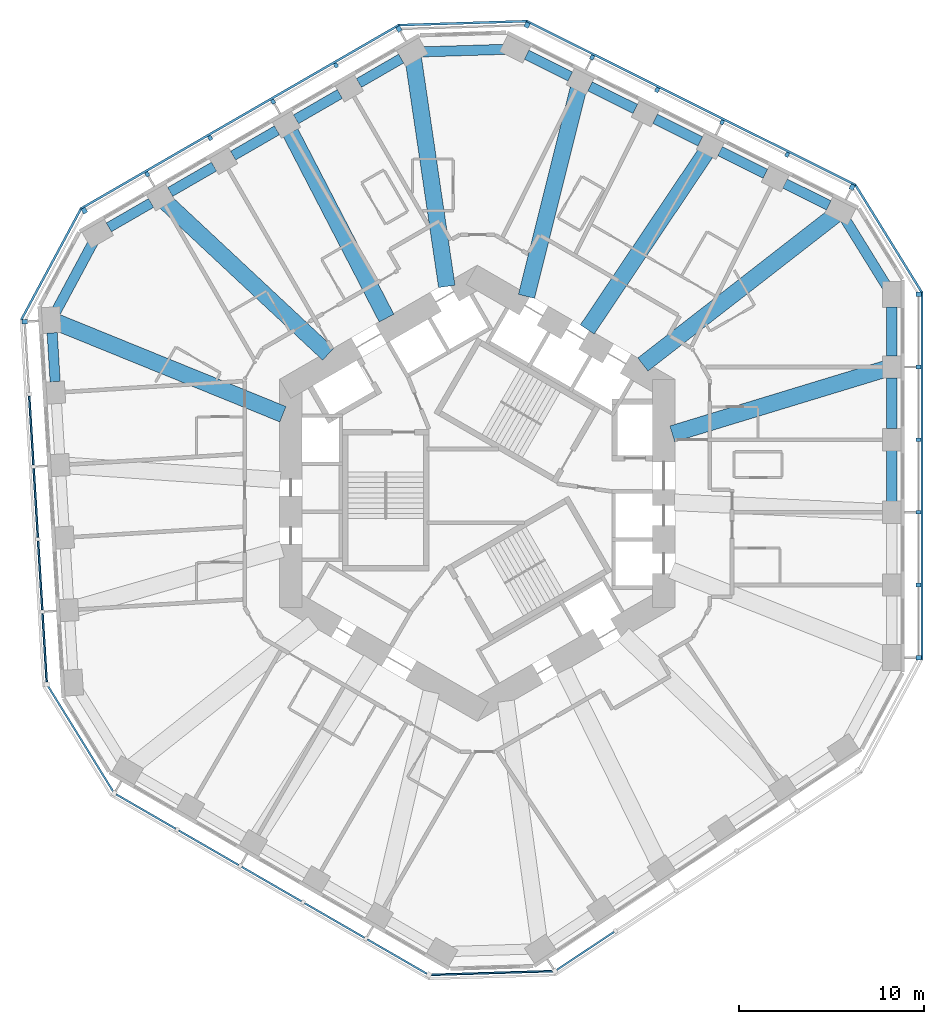
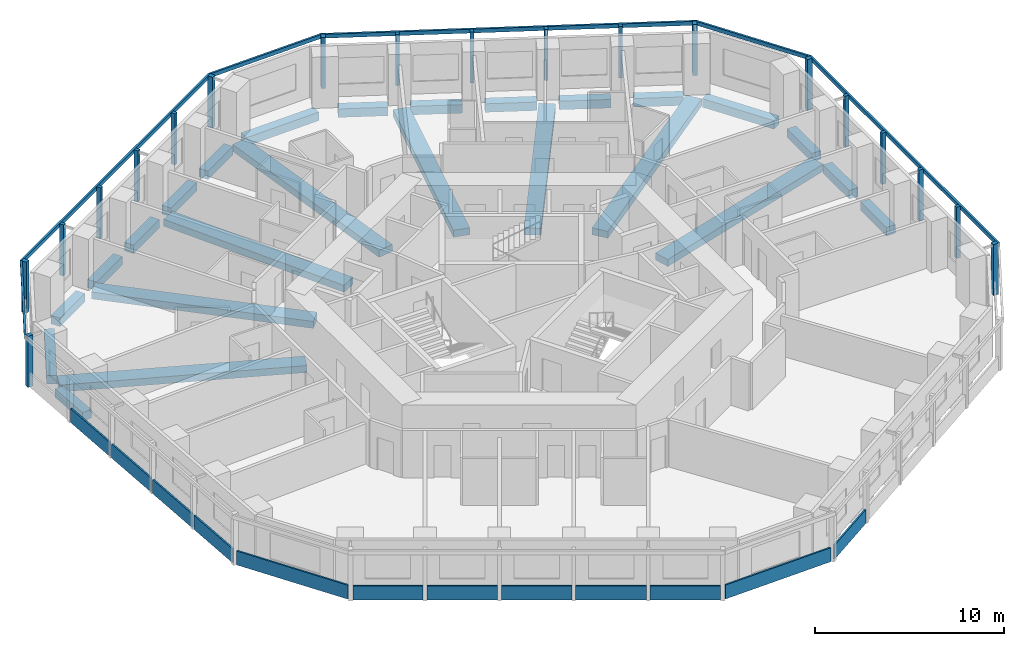
# One storey, part 2 of 12: 25 beams, 25 members, 12 plates, 11 elements without a shape of their own.
"""IFC4 building model written with IfcOpenShell, lengths in metres."""

from ifc_helpers import new_model, si_unit, direction, frame, origin, origin_2d, place, context, subcontext, project, spatial, rectangle, extrude, material, layer, layer_set, material_profile, profile_set, type_object, element, aggregate, save


model = new_model("IFC4")

# Units and contexts
model_context = context("Model", 3, precision=1e-05, world=origin(), true_north=direction((0.0, 1.0)))
body_context = subcontext(model_context, "Body", "Model", "MODEL_VIEW")
ifc_project = project(units=[si_unit("LENGTHUNIT", "METRE"), si_unit("AREAUNIT", "SQUARE_METRE"), si_unit("VOLUMEUNIT", "CUBIC_METRE"), si_unit("PLANEANGLEUNIT", "RADIAN"), si_unit("MASSUNIT", "GRAM", prefix="KILO")], contexts=[model_context])

# Site, building, storey
site_placement = place(None, origin())
site = spatial("IfcSite", under=ifc_project, at=site_placement, CompositionType="ELEMENT")
building_placement = place(site_placement, origin())
building = spatial("IfcBuilding", under=site, at=building_placement, Name="Vanh Sen Convention Tower", CompositionType="ELEMENT")
storey_placement = place(building_placement, frame((0.0, 0.0, 90.199951171875)))
storey = spatial("IfcBuildingStorey", under=building, at=storey_placement, Name="L20", CompositionType="ELEMENT", Elevation=90.199951171875)

# Curtain wall, members
ifc_material_1 = material(Name="Concrete C50/60", Category="concrete")
curtain_wall_type = type_object("IfcCurtainWallType", Name="Outer skin hotel zone", PredefinedType="NOTDEFINED", material=ifc_material_1)
curtain_wall_1_placement = place(storey_placement, origin())
curtain_wall_1 = element("IfcCurtainWall", 1, at=curtain_wall_1_placement, inside=storey, type_object=curtain_wall_type, Name="OUTER SKIN E L20", PredefinedType="NOTDEFINED")
ifc_material_profile_1 = material_profile(ifc_material_1, rectangle(XDim=0.25, YDim=0.300048828125, at=origin_2d()), Name="Outer skin precast corner fin 250 x 300")
ifc_profile_set_1 = profile_set([ifc_material_profile_1], Name="Concrete C50/60")
member_type_1 = type_object("IfcMemberType", Name="Outer skin precast corner fin 250 x 300", PredefinedType="MULLION", material=ifc_profile_set_1)
member_1_placement = place(storey_placement, frame((23.89990234375, -8.899169921875, 0.0), z_axis=(0.0, 0.0, 1.0), x_axis=(0.0, 1.0, 0.0)))
member_1 = element("IfcMember", 2, at=member_1_placement, type_object=member_type_1, Name="OUTER SKIN CORNER FIN 1 E L20", PredefinedType="MULLION", context=body_context, shape_type="SweptSolid", body=[
    extrude(rectangle(XDim=0.25, YDim=0.300048828125, at=origin_2d()), origin(), (0.0, 0.0, 1.0), 3.300048828125),
])
member_2_placement = place(storey_placement, frame((23.89990234375, 10.773681640625, 0.0), z_axis=(0.0, 0.0, 1.0), x_axis=(0.0, 1.0, 0.0)))
member_2 = element("IfcMember", 3, at=member_2_placement, type_object=member_type_1, Name="OUTER SKIN CORNER FIN 6 E L20", PredefinedType="MULLION", context=body_context, shape_type="SweptSolid", body=[
    extrude(rectangle(XDim=0.25, YDim=0.300048828125, at=origin_2d()), origin(), (0.0, 0.0, 1.0), 3.300048828125),
])

curtain_wall_2_placement = place(storey_placement, origin())
curtain_wall_2 = element("IfcCurtainWall", 4, at=curtain_wall_2_placement, inside=storey, type_object=curtain_wall_type, Name="OUTER SKIN NE L20", PredefinedType="NOTDEFINED")
member_3_placement = place(storey_placement, frame((20.305908203125, 16.581787109375, 0.0), z_axis=(0.0, 0.0, 1.0), x_axis=(-0.894934361602, 0.44619781311, 0.0)))
member_3 = element("IfcMember", 5, at=member_3_placement, type_object=member_type_1, Name="OUTER SKIN CORNER FIN 1 NE L20", PredefinedType="MULLION", context=body_context, shape_type="SweptSolid", body=[
    extrude(rectangle(XDim=0.25, YDim=0.300048828125, at=origin_2d()), origin(), (0.0, 0.0, 1.0), 3.300048828125),
])
member_4_placement = place(storey_placement, frame((2.699951171875, 25.35986328125, 0.0), z_axis=(0.0, 0.0, 1.0), x_axis=(-0.894934361602, 0.44619781311, 0.0)))
member_4 = element("IfcMember", 6, at=member_4_placement, type_object=member_type_1, Name="OUTER SKIN CORNER FIN 6 NE L20", PredefinedType="MULLION", context=body_context, shape_type="SweptSolid", body=[
    extrude(rectangle(XDim=0.25, YDim=0.300048828125, at=origin_2d()), origin(), (0.0, 0.0, 1.0), 3.300048828125),
])

curtain_wall_3_placement = place(storey_placement, origin())
curtain_wall_3 = element("IfcCurtainWall", 7, at=curtain_wall_3_placement, inside=storey, type_object=curtain_wall_type, Name="OUTER SKIN NW L20", PredefinedType="NOTDEFINED")
member_5_placement = place(storey_placement, frame((-4.242919921875, 25.147705078125, 0.0), z_axis=(0.0, 0.0, 1.0), x_axis=(-0.866025403784, -0.5, 0.0)))
member_5 = element("IfcMember", 8, at=member_5_placement, type_object=member_type_1, Name="OUTER SKIN CORNER FIN 1 NW L20", PredefinedType="MULLION", context=body_context, shape_type="SweptSolid", body=[
    extrude(rectangle(XDim=0.25, YDim=0.300048828125, at=origin_2d()), origin(), (0.0, 0.0, 1.0), 3.300048828125),
])
member_6_placement = place(storey_placement, frame((-21.2802734375, 15.31103515625, 0.0), z_axis=(0.0, 0.0, 1.0), x_axis=(-0.866025403784, -0.5, 0.0)))
member_6 = element("IfcMember", 9, at=member_6_placement, type_object=member_type_1, Name="OUTER SKIN CORNER FIN 6 NW L20", PredefinedType="MULLION", context=body_context, shape_type="SweptSolid", body=[
    extrude(rectangle(XDim=0.25, YDim=0.300048828125, at=origin_2d()), origin(), (0.0, 0.0, 1.0), 3.300048828125),
])

# Curtain wall, member
curtain_wall_4_placement = place(storey_placement, origin())
curtain_wall_4 = element("IfcCurtainWall", 10, at=curtain_wall_4_placement, inside=storey, type_object=curtain_wall_type, Name="OUTER SKIN W L20", PredefinedType="NOTDEFINED")
member_7_placement = place(storey_placement, frame((-24.51318359375, 9.294677734375, 0.0), z_axis=(0.0, 0.0, 1.0), x_axis=(0.061048539535, -0.998134798422, 0.0)))
member_7 = element("IfcMember", 11, at=member_7_placement, type_object=member_type_1, Name="OUTER SKIN CORNER FIN 1 W L20", PredefinedType="MULLION", context=body_context, shape_type="SweptSolid", body=[
    extrude(rectangle(XDim=0.25, YDim=0.300048828125, at=origin_2d()), origin(), (0.0, 0.0, 1.0), 3.300048828125),
])

# Member
ifc_material_profile_2 = material_profile(ifc_material_1, rectangle(XDim=0.199951171875, YDim=0.25, at=origin_2d()), Name="Outer skin precast fin 200 x 250")
ifc_profile_set_2 = profile_set([ifc_material_profile_2], Name="Concrete C50/60")
member_type_2 = type_object("IfcMemberType", Name="Outer skin precast fin 200 x 250", PredefinedType="MULLION", material=ifc_profile_set_2)
member_8_placement = place(storey_placement, frame((23.89990234375, -4.964599609375, 0.0), z_axis=(0.0, 0.0, 1.0), x_axis=(0.0, 1.0, 0.0)))
member_8 = element("IfcMember", 12, at=member_8_placement, type_object=member_type_2, Name="OUTER SKIN fin 2 E L20", PredefinedType="MULLION", context=body_context, shape_type="SweptSolid", body=[
    extrude(rectangle(XDim=0.199951171875, YDim=0.25, at=origin_2d()), origin(), (0.0, 0.0, 1.0), 3.300048828125),
])

member_9_placement = place(storey_placement, frame((23.89990234375, -1.030029296875, 0.0), z_axis=(0.0, 0.0, 1.0), x_axis=(0.0, 1.0, 0.0)))
member_9 = element("IfcMember", 13, at=member_9_placement, type_object=member_type_2, Name="OUTER SKIN fin 3 E L20", PredefinedType="MULLION", context=body_context, shape_type="SweptSolid", body=[
    extrude(rectangle(XDim=0.199951171875, YDim=0.25, at=origin_2d()), origin(), (0.0, 0.0, 1.0), 3.300048828125),
])

member_10_placement = place(storey_placement, frame((23.89990234375, 2.904541015625, 0.0), z_axis=(0.0, 0.0, 1.0), x_axis=(0.0, 1.0, 0.0)))
member_10 = element("IfcMember", 14, at=member_10_placement, type_object=member_type_2, Name="OUTER SKIN fin 4 E L20", PredefinedType="MULLION", context=body_context, shape_type="SweptSolid", body=[
    extrude(rectangle(XDim=0.199951171875, YDim=0.25, at=origin_2d()), origin(), (0.0, 0.0, 1.0), 3.300048828125),
])

member_11_placement = place(storey_placement, frame((23.89990234375, 6.839111328125, 0.0), z_axis=(0.0, 0.0, 1.0), x_axis=(0.0, 1.0, 0.0)))
member_11 = element("IfcMember", 15, at=member_11_placement, type_object=member_type_2, Name="OUTER SKIN fin 5 E L20", PredefinedType="MULLION", context=body_context, shape_type="SweptSolid", body=[
    extrude(rectangle(XDim=0.199951171875, YDim=0.25, at=origin_2d()), origin(), (0.0, 0.0, 1.0), 3.300048828125),
])

member_12_placement = place(storey_placement, frame((16.78466796875, 18.33740234375, 0.0), z_axis=(0.0, 0.0, 1.0), x_axis=(-0.894934361602, 0.44619781311, 0.0)))
member_12 = element("IfcMember", 16, at=member_12_placement, type_object=member_type_2, Name="OUTER SKIN fin 2 NE L20", PredefinedType="MULLION", context=body_context, shape_type="SweptSolid", body=[
    extrude(rectangle(XDim=0.199951171875, YDim=0.25, at=origin_2d()), origin(), (0.0, 0.0, 1.0), 3.300048828125),
])

member_13_placement = place(storey_placement, frame((13.263427734375, 20.093017578125, 0.0), z_axis=(0.0, 0.0, 1.0), x_axis=(-0.894934361602, 0.44619781311, 0.0)))
member_13 = element("IfcMember", 17, at=member_13_placement, type_object=member_type_2, Name="OUTER SKIN fin 3 NE L20", PredefinedType="MULLION", context=body_context, shape_type="SweptSolid", body=[
    extrude(rectangle(XDim=0.199951171875, YDim=0.25, at=origin_2d()), origin(), (0.0, 0.0, 1.0), 3.300048828125),
])

member_14_placement = place(storey_placement, frame((9.7421875, 21.8486328125, 0.0), z_axis=(0.0, 0.0, 1.0), x_axis=(-0.894934361602, 0.44619781311, 0.0)))
member_14 = element("IfcMember", 18, at=member_14_placement, type_object=member_type_2, Name="OUTER SKIN fin 4 NE L20", PredefinedType="MULLION", context=body_context, shape_type="SweptSolid", body=[
    extrude(rectangle(XDim=0.199951171875, YDim=0.25, at=origin_2d()), origin(), (0.0, 0.0, 1.0), 3.300048828125),
])

member_15_placement = place(storey_placement, frame((6.22119140625, 23.604248046875, 0.0), z_axis=(0.0, 0.0, 1.0), x_axis=(-0.894934361602, 0.44619781311, 0.0)))
member_15 = element("IfcMember", 19, at=member_15_placement, type_object=member_type_2, Name="OUTER SKIN fin 5 NE L20", PredefinedType="MULLION", context=body_context, shape_type="SweptSolid", body=[
    extrude(rectangle(XDim=0.199951171875, YDim=0.25, at=origin_2d()), origin(), (0.0, 0.0, 1.0), 3.300048828125),
])

member_16_placement = place(storey_placement, frame((-7.650390625, 23.180419921875, 0.0), z_axis=(0.0, 0.0, 1.0), x_axis=(-0.866025403784, -0.5, 0.0)))
member_16 = element("IfcMember", 20, at=member_16_placement, type_object=member_type_2, Name="OUTER SKIN fin 2 NW L20", PredefinedType="MULLION", context=body_context, shape_type="SweptSolid", body=[
    extrude(rectangle(XDim=0.199951171875, YDim=0.25, at=origin_2d()), origin(), (0.0, 0.0, 1.0), 3.300048828125),
])

member_17_placement = place(storey_placement, frame((-11.057861328125, 21.212890625, 0.0), z_axis=(0.0, 0.0, 1.0), x_axis=(-0.866025403784, -0.5, 0.0)))
member_17 = element("IfcMember", 21, at=member_17_placement, type_object=member_type_2, Name="OUTER SKIN fin 3 NW L20", PredefinedType="MULLION", context=body_context, shape_type="SweptSolid", body=[
    extrude(rectangle(XDim=0.199951171875, YDim=0.25, at=origin_2d()), origin(), (0.0, 0.0, 1.0), 3.300048828125),
])

member_18_placement = place(storey_placement, frame((-14.46533203125, 19.24560546875, 0.0), z_axis=(0.0, 0.0, 1.0), x_axis=(-0.866025403784, -0.5, 0.0)))
member_18 = element("IfcMember", 22, at=member_18_placement, type_object=member_type_2, Name="OUTER SKIN fin 4 NW L20", PredefinedType="MULLION", context=body_context, shape_type="SweptSolid", body=[
    extrude(rectangle(XDim=0.199951171875, YDim=0.25, at=origin_2d()), origin(), (0.0, 0.0, 1.0), 3.300048828125),
])

member_19_placement = place(storey_placement, frame((-17.872802734375, 17.2783203125, 0.0), z_axis=(0.0, 0.0, 1.0), x_axis=(-0.866025403784, -0.5, 0.0)))
member_19 = element("IfcMember", 23, at=member_19_placement, type_object=member_type_2, Name="OUTER SKIN fin 5 NW L20", PredefinedType="MULLION", context=body_context, shape_type="SweptSolid", body=[
    extrude(rectangle(XDim=0.199951171875, YDim=0.25, at=origin_2d()), origin(), (0.0, 0.0, 1.0), 3.300048828125),
])

ifc_material_profile_3 = material_profile(ifc_material_1, rectangle(XDim=0.1201171875, YDim=0.25, at=origin_2d()), Name="Outer skin precast spandrel band 250 x 120")
ifc_profile_set_3 = profile_set([ifc_material_profile_3], Name="Concrete C50/60")
member_type_3 = type_object("IfcMemberType", Name="Outer skin precast spandrel band 250 x 120", PredefinedType="USERDEFINED", material=ifc_profile_set_3)
member_20_placement = place(storey_placement, frame((24.0849609375, -9.024169921875, 3.175048828125), z_axis=(0.0, 1.0, 0.0), x_axis=(-1.0, 0.0, 0.0)))
member_20 = element("IfcMember", 24, at=member_20_placement, type_object=member_type_3, Name="OUTER SKIN spandrel band E L20", ObjectType="TRANSOM", PredefinedType="USERDEFINED", context=body_context, shape_type="SweptSolid", body=[
    extrude(rectangle(XDim=0.1201171875, YDim=0.25, at=origin_2d()), origin(), (0.0, 0.0, 1.0), 19.9228515625),
])

aggregate(curtain_wall_1, [member_1, member_8, member_9, member_10, member_11, member_2, member_20])

# Curtain wall, member
curtain_wall_5_placement = place(storey_placement, origin())
curtain_wall_5 = element("IfcCurtainWall", 25, at=curtain_wall_5_placement, inside=storey, type_object=curtain_wall_type, Name="OUTER SKIN CH1 L20", PredefinedType="NOTDEFINED")
member_21_placement = place(storey_placement, frame((24.07861328125, 10.88427734375, 3.175048828125), z_axis=(-0.526195864379, 0.850363400148, 0.0), x_axis=(-0.850363400148, -0.526195864379, 0.0)))
member_21 = element("IfcMember", 26, at=member_21_placement, type_object=member_type_3, Name="OUTER SKIN spandrel band CH1 L20", ObjectType="TRANSOM", PredefinedType="USERDEFINED", context=body_context, shape_type="SweptSolid", body=[
    extrude(rectangle(XDim=0.1201171875, YDim=0.25, at=origin_2d()), origin(), (0.0, 0.0, 1.0), 6.830078125),
])
aggregate(curtain_wall_5, [member_21])

# Member
member_22_placement = place(storey_placement, frame((20.500244140625, 16.69140625, 3.175048828125), z_axis=(-0.894931498167, 0.446203556227, 0.0), x_axis=(-0.446203556227, -0.894931498167, 0.0)))
member_22 = element("IfcMember", 27, at=member_22_placement, type_object=member_type_3, Name="OUTER SKIN spandrel band NE L20", ObjectType="TRANSOM", PredefinedType="USERDEFINED", context=body_context, shape_type="SweptSolid", body=[
    extrude(rectangle(XDim=0.1201171875, YDim=0.25, at=origin_2d()), origin(), (0.0, 0.0, 1.0), 19.9228515625),
])

aggregate(curtain_wall_2, [member_3, member_12, member_13, member_14, member_15, member_4, member_22])

# Curtain wall, member
curtain_wall_6_placement = place(storey_placement, origin())
curtain_wall_6 = element("IfcCurtainWall", 28, at=curtain_wall_6_placement, inside=storey, type_object=curtain_wall_type, Name="OUTER SKIN CH2 L20", PredefinedType="NOTDEFINED")
member_23_placement = place(storey_placement, frame((2.693603515625, 25.569580078125, 3.175048828125), z_axis=(-0.999533472857, -0.030542374483, 0.0), x_axis=(0.030542374483, -0.999533472857, 0.0)))
member_23 = element("IfcMember", 29, at=member_23_placement, type_object=member_type_3, Name="OUTER SKIN spandrel band CH2 L20", ObjectType="TRANSOM", PredefinedType="USERDEFINED", context=body_context, shape_type="SweptSolid", body=[
    extrude(rectangle(XDim=0.1201171875, YDim=0.25, at=origin_2d()), origin(), (0.0, 0.0, 1.0), 6.9462890625),
])
aggregate(curtain_wall_6, [member_23])

# Member
member_24_placement = place(storey_placement, frame((-4.227294921875, 25.370361328125, 3.175048828125), z_axis=(-0.866028047459, -0.499995420993, 0.0), x_axis=(0.499995420993, -0.866028047459, 0.0)))
member_24 = element("IfcMember", 30, at=member_24_placement, type_object=member_type_3, Name="OUTER SKIN spandrel band NW L20", ObjectType="TRANSOM", PredefinedType="USERDEFINED", context=body_context, shape_type="SweptSolid", body=[
    extrude(rectangle(XDim=0.1201171875, YDim=0.25, at=origin_2d()), origin(), (0.0, 0.0, 1.0), 19.923095703125),
])

aggregate(curtain_wall_3, [member_5, member_16, member_17, member_18, member_19, member_6, member_24])

# Curtain wall, member
curtain_wall_7_placement = place(storey_placement, origin())
curtain_wall_7 = element("IfcCurtainWall", 31, at=curtain_wall_7_placement, inside=storey, type_object=curtain_wall_type, Name="OUTER SKIN CH3 L20", PredefinedType="NOTDEFINED")
member_25_placement = place(storey_placement, frame((-21.46533203125, 15.410400390625, 3.175048828125), z_axis=(-0.473315186561, -0.880893145717, 0.0), x_axis=(0.880893145717, -0.473315186561, 0.0)))
member_25 = element("IfcMember", 32, at=member_25_placement, type_object=member_type_3, Name="OUTER SKIN spandrel band CH3 L20", ObjectType="TRANSOM", PredefinedType="USERDEFINED", context=body_context, shape_type="SweptSolid", body=[
    extrude(rectangle(XDim=0.1201171875, YDim=0.25, at=origin_2d()), origin(), (0.0, 0.0, 1.0), 6.829833984375),
])
aggregate(curtain_wall_7, [member_25])

# Beams
ifc_material_2 = material(Name="Concrete C50/60", Category="concrete")
ifc_material_profile_4 = material_profile(ifc_material_2, rectangle(XDim=0.89990234375, YDim=0.449951171875, at=origin_2d()), Name="RC 900X450")
ifc_profile_set_4 = profile_set([ifc_material_profile_4], Name="Concrete C50/60")
beam_type_1 = type_object("IfcBeamType", Name="Radial floor beam 900 x 450", PredefinedType="BEAM", material=ifc_profile_set_4)
beam_1_placement = place(storey_placement, frame((22.0859375, 6.728271484375, -0.474853515625), z_axis=(-0.956595291153, -0.291419712689, 0.0), x_axis=(0.291419712689, -0.956595291153, 0.0)))
element("IfcBeam", 33, at=beam_1_placement, inside=storey, type_object=beam_type_1, Name="Radial beam 03 L20", PredefinedType="BEAM", context=body_context, shape_type="SweptSolid", body=[
    extrude(rectangle(XDim=0.89990234375, YDim=0.449951171875, at=origin_2d()), origin(), (0.0, 0.0, 1.0), 12.04443359375),
])
beam_2_placement = place(storey_placement, frame((19.3955078125, 15.079345703125, -0.474853515625), z_axis=(-0.789464705625, -0.61379595842, 0.0), x_axis=(0.61379595842, -0.789464705625, 0.0)))
element("IfcBeam", 34, at=beam_2_placement, inside=storey, type_object=beam_type_1, Name="Radial beam 04 L20", PredefinedType="BEAM", context=body_context, shape_type="SweptSolid", body=[
    extrude(rectangle(XDim=0.89990234375, YDim=0.449951171875, at=origin_2d()), origin(), (0.0, 0.0, 1.0), 13.204345703125),
])
beam_3_placement = place(storey_placement, frame((12.37060546875, 18.42919921875, -0.474853515625), z_axis=(-0.557321786786, -0.830296589162, 0.0), x_axis=(0.830296589162, -0.557321786786, 0.0)))
element("IfcBeam", 35, at=beam_3_placement, inside=storey, type_object=beam_type_1, Name="Radial beam 05 L20", PredefinedType="BEAM", context=body_context, shape_type="SweptSolid", body=[
    extrude(rectangle(XDim=0.89990234375, YDim=0.449951171875, at=origin_2d()), origin(), (0.0, 0.0, 1.0), 11.507080078125),
])
beam_4_placement = place(storey_placement, frame((5.475341796875, 21.9111328125, -0.474853515625), z_axis=(-0.242431531098, -0.970168517697, 0.0), x_axis=(0.970168517697, -0.242431531098, 0.0)))
element("IfcBeam", 36, at=beam_4_placement, inside=storey, type_object=beam_type_1, Name="Radial beam 06 L20", PredefinedType="BEAM", context=body_context, shape_type="SweptSolid", body=[
    extrude(rectangle(XDim=0.89990234375, YDim=0.449951171875, at=origin_2d()), origin(), (0.0, 0.0, 1.0), 11.589111328125),
])
beam_5_placement = place(storey_placement, frame((-3.46630859375, 23.541259765625, -0.474853515625), z_axis=(0.145680012358, -0.989331761342, 0.0), x_axis=(0.989331761342, 0.145680012358, 0.0)))
element("IfcBeam", 37, at=beam_5_placement, inside=storey, type_object=beam_type_1, Name="Radial beam 07 L20", PredefinedType="BEAM", context=body_context, shape_type="SweptSolid", body=[
    extrude(rectangle(XDim=0.89990234375, YDim=0.449951171875, at=origin_2d()), origin(), (0.0, 0.0, 1.0), 12.468505859375),
])
beam_6_placement = place(storey_placement, frame((-10.114501953125, 19.53564453125, -0.474853515625), z_axis=(0.459772199707, -0.88803689359, 0.0), x_axis=(0.88803689359, 0.459772199707, 0.0)))
element("IfcBeam", 38, at=beam_6_placement, inside=storey, type_object=beam_type_1, Name="Radial beam 08 L20", PredefinedType="BEAM", context=body_context, shape_type="SweptSolid", body=[
    extrude(rectangle(XDim=0.89990234375, YDim=0.449951171875, at=origin_2d()), origin(), (0.0, 0.0, 1.0), 11.31298828125),
])
beam_7_placement = place(storey_placement, frame((-16.869873046875, 15.762939453125, -0.474853515625), z_axis=(0.730668926441, -0.68273195321, 0.0), x_axis=(0.68273195321, 0.730668926441, 0.0)))
element("IfcBeam", 39, at=beam_7_placement, inside=storey, type_object=beam_type_1, Name="Radial beam 09 L20", PredefinedType="BEAM", context=body_context, shape_type="SweptSolid", body=[
    extrude(rectangle(XDim=0.89990234375, YDim=0.449951171875, at=origin_2d()), origin(), (0.0, 0.0, 1.0), 12.044921875),
])
beam_8_placement = place(storey_placement, frame((-22.7568359375, 9.25732421875, -0.474853515625), z_axis=(0.926294416538, -0.376800549216, 0.0), x_axis=(0.376800549216, 0.926294416538, 0.0)))
element("IfcBeam", 40, at=beam_8_placement, inside=storey, type_object=beam_type_1, Name="Radial beam 10 L20", PredefinedType="BEAM", context=body_context, shape_type="SweptSolid", body=[
    extrude(rectangle(XDim=0.89990234375, YDim=0.449951171875, at=origin_2d()), origin(), (0.0, 0.0, 1.0), 13.2041015625),
])
ifc_material_profile_5 = material_profile(ifc_material_2, rectangle(XDim=0.550048828125, YDim=0.550048828125, at=origin_2d()), Name="RC 550X550")
ifc_profile_set_5 = profile_set([ifc_material_profile_5], Name="Concrete C50/60")
beam_type_2 = type_object("IfcBeamType", Name="Spandrel beam 550 x 550", PredefinedType="SPANDREL", material=ifc_profile_set_5)
for number, where, z_axis, x_axis, name in (
    (41, (22.449951171875, -0.43505859375, -0.52490234375), (0.0, 1.0, 0.0), (-1.0, 0.0, 0.0), "Spandrel beam 03 L20"),
    (42, (22.449951171875, 3.49951171875, -0.52490234375), (0.0, 1.0, 0.0), (-1.0, 0.0, 0.0), "Spandrel beam 04 L20"),
):
    element("IfcBeam", number, at=place(storey_placement, frame(where, z_axis=z_axis, x_axis=x_axis)), inside=storey, type_object=beam_type_2, Name=name, PredefinedType="SPANDREL", context=body_context, shape_type="SweptSolid", body=[
        extrude(rectangle(XDim=0.550048828125, YDim=0.550048828125, at=origin_2d()), origin(), (0.0, 0.0, 1.0), 2.74462890625),
    ])
beam_9_placement = place(storey_placement, frame((22.449951171875, 7.43408203125, -0.52490234375), z_axis=(0.0, 1.0, 0.0), x_axis=(-1.0, 0.0, 0.0)))
element("IfcBeam", 43, at=beam_9_placement, inside=storey, type_object=beam_type_2, Name="Spandrel beam 05 L20", PredefinedType="SPANDREL", context=body_context, shape_type="SweptSolid", body=[
    extrude(rectangle(XDim=0.550048828125, YDim=0.550048828125, at=origin_2d()), origin(), (0.0, 0.0, 1.0), 2.64453125),
])
beam_10_placement = place(storey_placement, frame((22.1865234375, 11.199462890625, -0.52490234375), z_axis=(-0.526204199605, 0.850358242342, 0.0), x_axis=(-0.850358242342, -0.526204199605, 0.0)))
element("IfcBeam", 44, at=beam_10_placement, inside=storey, type_object=beam_type_2, Name="Spandrel beam 06 L20", PredefinedType="SPANDREL", context=body_context, shape_type="SweptSolid", body=[
    extrude(rectangle(XDim=0.550048828125, YDim=0.550048828125, at=origin_2d()), origin(), (0.0, 0.0, 1.0), 4.302734375),
])
beam_11_placement = place(storey_placement, frame((19.036865234375, 15.59423828125, -0.52490234375), z_axis=(-0.894943581597, 0.446179320183, 0.0), x_axis=(-0.446179320183, -0.894943581597, 0.0)))
element("IfcBeam", 45, at=beam_11_placement, inside=storey, type_object=beam_type_2, Name="Spandrel beam 07 L20", PredefinedType="SPANDREL", context=body_context, shape_type="SweptSolid", body=[
    extrude(rectangle(XDim=0.550048828125, YDim=0.550048828125, at=origin_2d()), origin(), (0.0, 0.0, 1.0), 2.64453125),
])
for number, where, z_axis, x_axis, name in (
    (46, (15.605224609375, 17.30517578125, -0.52490234375), (-0.894942515368, 0.44618145881, 0.0), (-0.44618145881, -0.894942515368, 0.0), "Spandrel beam 08 L20"),
    (47, (12.083984375, 19.060791015625, -0.52490234375), (-0.894942515368, 0.44618145881, 0.0), (-0.44618145881, -0.894942515368, 0.0), "Spandrel beam 09 L20"),
):
    element("IfcBeam", number, at=place(storey_placement, frame(where, z_axis=z_axis, x_axis=x_axis)), inside=storey, type_object=beam_type_2, Name=name, PredefinedType="SPANDREL", context=body_context, shape_type="SweptSolid", body=[
        extrude(rectangle(XDim=0.550048828125, YDim=0.550048828125, at=origin_2d()), origin(), (0.0, 0.0, 1.0), 2.74462890625),
    ])
beam_12_placement = place(storey_placement, frame((8.562744140625, 20.81640625, -0.52490234375), z_axis=(-0.894924804947, 0.44621698028, 0.0), x_axis=(-0.44621698028, -0.894924804947, 0.0)))
element("IfcBeam", 48, at=beam_12_placement, inside=storey, type_object=beam_type_2, Name="Spandrel beam 10 L20", PredefinedType="SPANDREL", context=body_context, shape_type="SweptSolid", body=[
    extrude(rectangle(XDim=0.550048828125, YDim=0.550048828125, at=origin_2d()), origin(), (0.0, 0.0, 1.0), 2.744384765625),
])
beam_13_placement = place(storey_placement, frame((5.04150390625, 22.572021484375, -0.52490234375), z_axis=(-0.894943581597, 0.446179320183, 0.0), x_axis=(-0.446179320183, -0.894943581597, 0.0)))
element("IfcBeam", 49, at=beam_13_placement, inside=storey, type_object=beam_type_2, Name="Spandrel beam 11 L20", PredefinedType="SPANDREL", context=body_context, shape_type="SweptSolid", body=[
    extrude(rectangle(XDim=0.550048828125, YDim=0.550048828125, at=origin_2d()), origin(), (0.0, 0.0, 1.0), 2.64453125),
])
beam_14_placement = place(storey_placement, frame((1.513671875, 24.045654296875, -0.52490234375), z_axis=(-0.999533924707, -0.030527583592, 0.0), x_axis=(0.030527583592, -0.999533924707, 0.0)))
element("IfcBeam", 50, at=beam_14_placement, inside=storey, type_object=beam_type_2, Name="Spandrel beam 12 L20", PredefinedType="SPANDREL", context=body_context, shape_type="SweptSolid", body=[
    extrude(rectangle(XDim=0.550048828125, YDim=0.550048828125, at=origin_2d()), origin(), (0.0, 0.0, 1.0), 4.49462890625),
])
beam_15_placement = place(storey_placement, frame((-4.119873046875, 23.54443359375, -0.52490234375), z_axis=(-0.866030315638, -0.499991492324, 0.0), x_axis=(0.499991492324, -0.866030315638, 0.0)))
element("IfcBeam", 51, at=beam_15_placement, inside=storey, type_object=beam_type_2, Name="Spandrel beam 13 L20", PredefinedType="SPANDREL", context=body_context, shape_type="SweptSolid", body=[
    extrude(rectangle(XDim=0.550048828125, YDim=0.550048828125, at=origin_2d()), origin(), (0.0, 0.0, 1.0), 2.64453125),
])
beam_16_placement = place(storey_placement, frame((-7.44091796875, 21.627197265625, -0.52490234375), z_axis=(-0.866006330792, -0.500033033937, 0.0), x_axis=(0.500033033937, -0.866006330792, 0.0)))
element("IfcBeam", 52, at=beam_16_placement, inside=storey, type_object=beam_type_2, Name="Spandrel beam 14 L20", PredefinedType="SPANDREL", context=body_context, shape_type="SweptSolid", body=[
    extrude(rectangle(XDim=0.550048828125, YDim=0.550048828125, at=origin_2d()), origin(), (0.0, 0.0, 1.0), 2.744384765625),
])
for number, where, z_axis, x_axis, name in (
    (53, (-10.84814453125, 19.659912109375, -0.52490234375), (-0.866028570666, -0.499994514761, 0.0), (0.499994514761, -0.866028570666, 0.0), "Spandrel beam 15 L20"),
    (54, (-14.255615234375, 17.6923828125, -0.52490234375), (-0.866067086513, -0.499927796446, 0.0), (0.499927796446, -0.866067086513, 0.0), "Spandrel beam 16 L20"),
):
    element("IfcBeam", number, at=place(storey_placement, frame(where, z_axis=z_axis, x_axis=x_axis)), inside=storey, type_object=beam_type_2, Name=name, PredefinedType="SPANDREL", context=body_context, shape_type="SweptSolid", body=[
        extrude(rectangle(XDim=0.550048828125, YDim=0.550048828125, at=origin_2d()), origin(), (0.0, 0.0, 1.0), 2.74462890625),
    ])
beam_17_placement = place(storey_placement, frame((-17.6630859375, 15.72509765625, -0.52490234375), z_axis=(-0.866030315638, -0.499991492324, 0.0), x_axis=(0.499991492324, -0.866030315638, 0.0)))
element("IfcBeam", 55, at=beam_17_placement, inside=storey, type_object=beam_type_2, Name="Spandrel beam 17 L20", PredefinedType="SPANDREL", context=body_context, shape_type="SweptSolid", body=[
    extrude(rectangle(XDim=0.550048828125, YDim=0.550048828125, at=origin_2d()), origin(), (0.0, 0.0, 1.0), 2.64453125),
])
beam_18_placement = place(storey_placement, frame((-20.792236328125, 13.6142578125, -0.52490234375), z_axis=(-0.473348459073, -0.88087526716, 0.0), x_axis=(0.88087526716, -0.473348459073, 0.0)))
element("IfcBeam", 56, at=beam_18_placement, inside=storey, type_object=beam_type_2, Name="Spandrel beam 18 L20", PredefinedType="SPANDREL", context=body_context, shape_type="SweptSolid", body=[
    extrude(rectangle(XDim=0.550048828125, YDim=0.550048828125, at=origin_2d()), origin(), (0.0, 0.0, 1.0), 4.302490234375),
])
beam_19_placement = place(storey_placement, frame((-23.0234375, 8.689453125, -0.52490234375), z_axis=(0.061113817246, -0.998130803723, 0.0), x_axis=(0.998130803723, 0.061113817246, 0.0)))
element("IfcBeam", 57, at=beam_19_placement, inside=storey, type_object=beam_type_2, Name="Spandrel beam 19 L20", PredefinedType="SPANDREL", context=body_context, shape_type="SweptSolid", body=[
    extrude(rectangle(XDim=0.550048828125, YDim=0.550048828125, at=origin_2d()), origin(), (0.0, 0.0, 1.0), 2.64453125),
])

# Plate
ifc_layer = layer(ifc_material_1, 0.10009765625)
ifc_layer_set = layer_set([ifc_layer], Name="Concrete C50/60")
plate_type = type_object("IfcPlateType", Name="Outer skin precast screen panel 100", PredefinedType="CURTAIN_PANEL", material=ifc_layer_set)
plate_1_placement = place(storey_placement, frame((-24.15283203125, 3.40380859375, 0.0), z_axis=(0.0, 0.0, 1.0), x_axis=(0.061048539535, -0.998134798422, 0.0)))
plate_1 = element("IfcPlate", 58, at=plate_1_placement, type_object=plate_type, Name="OUTER SKIN screen panel W-2", PredefinedType="CURTAIN_PANEL", context=body_context, shape_type="SweptSolid", body=[
    extrude(rectangle(XDim=3.734619140625, YDim=0.10009765625, at=origin_2d()), origin(), (0.0, 0.0, 1.0), 0.89990234375),
])

plate_2_placement = place(storey_placement, frame((-23.91259765625, -0.523681640625, 0.0), z_axis=(0.0, 0.0, 1.0), x_axis=(0.061046797461, -0.99813490497, 0.0)))
plate_2 = element("IfcPlate", 59, at=plate_2_placement, type_object=plate_type, Name="OUTER SKIN screen panel W-3", PredefinedType="CURTAIN_PANEL", context=body_context, shape_type="SweptSolid", body=[
    extrude(rectangle(XDim=3.734619140625, YDim=0.10009765625, at=origin_2d()), origin(), (0.0, 0.0, 1.0), 0.89990234375),
])

plate_3_placement = place(storey_placement, frame((-23.67236328125, -4.45068359375, 0.0), z_axis=(0.0, 0.0, 1.0), x_axis=(0.061048539535, -0.998134798422, 0.0)))
plate_3 = element("IfcPlate", 60, at=plate_3_placement, type_object=plate_type, Name="OUTER SKIN screen panel W-4", PredefinedType="CURTAIN_PANEL", context=body_context, shape_type="SweptSolid", body=[
    extrude(rectangle(XDim=3.734619140625, YDim=0.10009765625, at=origin_2d()), origin(), (0.0, 0.0, 1.0), 0.89990234375),
])

plate_4_placement = place(storey_placement, frame((-23.43310546875, -8.365478515625, 0.0), z_axis=(0.0, 0.0, 1.0), x_axis=(0.061046797461, -0.99813490497, 0.0)))
plate_4 = element("IfcPlate", 61, at=plate_4_placement, type_object=plate_type, Name="OUTER SKIN screen panel W-5", PredefinedType="CURTAIN_PANEL", context=body_context, shape_type="SweptSolid", body=[
    extrude(rectangle(XDim=3.709716796875, YDim=0.10009765625, at=origin_2d()), origin(), (0.0, 0.0, 1.0), 0.89990234375),
])

aggregate(curtain_wall_4, [member_7, plate_1, plate_2, plate_3, plate_4])

# Curtain wall, plate
curtain_wall_8_placement = place(storey_placement, origin())
curtain_wall_8 = element("IfcCurtainWall", 62, at=curtain_wall_8_placement, inside=storey, type_object=curtain_wall_type, Name="OUTER SKIN CH4 L20", PredefinedType="NOTDEFINED")
plate_5_placement = place(storey_placement, frame((-21.484619140625, -13.295166015625, 0.0), z_axis=(0.0, 0.0, 1.0), x_axis=(0.526205018755, -0.850357735448, 0.0)))
plate_5 = element("IfcPlate", 63, at=plate_5_placement, type_object=plate_type, Name="OUTER SKIN screen panel CH4-1", PredefinedType="CURTAIN_PANEL", context=body_context, shape_type="SweptSolid", body=[
    extrude(rectangle(XDim=6.6962890625, YDim=0.10009765625, at=origin_2d()), origin(), (0.0, 0.0, 1.0), 0.89990234375),
])
aggregate(curtain_wall_8, [plate_5])

# Curtain wall, plates
curtain_wall_9_placement = place(storey_placement, origin())
curtain_wall_9 = element("IfcCurtainWall", 64, at=curtain_wall_9_placement, inside=storey, type_object=curtain_wall_type, Name="OUTER SKIN SW L20", PredefinedType="NOTDEFINED")
plate_6_placement = place(storey_placement, frame((-17.9423828125, -17.23828125, 0.0), z_axis=(0.0, 0.0, 1.0), x_axis=(0.866028021766, -0.499995465495, 0.0)))
plate_6 = element("IfcPlate", 65, at=plate_6_placement, type_object=plate_type, Name="OUTER SKIN screen panel SW-1", PredefinedType="CURTAIN_PANEL", context=body_context, shape_type="SweptSolid", body=[
    extrude(rectangle(XDim=3.709716796875, YDim=0.10009765625, at=origin_2d()), origin(), (0.0, 0.0, 1.0), 0.89990234375),
])
plate_7_placement = place(storey_placement, frame((-14.5458984375, -19.19921875, 0.0), z_axis=(0.0, 0.0, 1.0), x_axis=(0.866032385017, -0.499987907955, 0.0)))
plate_7 = element("IfcPlate", 66, at=plate_7_placement, type_object=plate_type, Name="OUTER SKIN screen panel SW-2", PredefinedType="CURTAIN_PANEL", context=body_context, shape_type="SweptSolid", body=[
    extrude(rectangle(XDim=3.734619140625, YDim=0.10009765625, at=origin_2d()), origin(), (0.0, 0.0, 1.0), 0.89990234375),
])
plate_8_placement = place(storey_placement, frame((-11.138427734375, -21.16650390625, 0.0), z_axis=(0.0, 0.0, 1.0), x_axis=(0.866028021766, -0.499995465495, 0.0)))
plate_8 = element("IfcPlate", 67, at=plate_8_placement, type_object=plate_type, Name="OUTER SKIN screen panel SW-3", PredefinedType="CURTAIN_PANEL", context=body_context, shape_type="SweptSolid", body=[
    extrude(rectangle(XDim=3.734619140625, YDim=0.10009765625, at=origin_2d()), origin(), (0.0, 0.0, 1.0), 0.89990234375),
])
plate_9_placement = place(storey_placement, frame((-7.73095703125, -23.1337890625, 0.0), z_axis=(0.0, 0.0, 1.0), x_axis=(0.866028021766, -0.499995465495, 0.0)))
plate_9 = element("IfcPlate", 68, at=plate_9_placement, type_object=plate_type, Name="OUTER SKIN screen panel SW-4", PredefinedType="CURTAIN_PANEL", context=body_context, shape_type="SweptSolid", body=[
    extrude(rectangle(XDim=3.734619140625, YDim=0.10009765625, at=origin_2d()), origin(), (0.0, 0.0, 1.0), 0.89990234375),
])
plate_10_placement = place(storey_placement, frame((-4.334228515625, -25.094970703125, 0.0), z_axis=(0.0, 0.0, 1.0), x_axis=(0.866021040428, -0.500007557478, 0.0)))
plate_10 = element("IfcPlate", 69, at=plate_10_placement, type_object=plate_type, Name="OUTER SKIN screen panel SW-5", PredefinedType="CURTAIN_PANEL", context=body_context, shape_type="SweptSolid", body=[
    extrude(rectangle(XDim=3.70947265625, YDim=0.10009765625, at=origin_2d()), origin(), (0.0, 0.0, 1.0), 0.89990234375),
])
aggregate(curtain_wall_9, [plate_6, plate_7, plate_8, plate_9, plate_10])

# Curtain wall, plate
curtain_wall_10_placement = place(storey_placement, origin())
curtain_wall_10 = element("IfcCurtainWall", 70, at=curtain_wall_10_placement, inside=storey, type_object=curtain_wall_type, Name="OUTER SKIN CH5 L20", PredefinedType="NOTDEFINED")
plate_11_placement = place(storey_placement, frame((0.793701171875, -25.98046875, 0.0), z_axis=(0.0, 0.0, 1.0), x_axis=(0.999533484231, 0.03054200224, 0.0)))
plate_11 = element("IfcPlate", 71, at=plate_11_placement, type_object=plate_type, Name="OUTER SKIN screen panel CH5-1", PredefinedType="CURTAIN_PANEL", context=body_context, shape_type="SweptSolid", body=[
    extrude(rectangle(XDim=6.580078125, YDim=0.10009765625, at=origin_2d()), origin(), (0.0, 0.0, 1.0), 0.89990234375),
])
aggregate(curtain_wall_10, [plate_11])

curtain_wall_11_placement = place(storey_placement, origin())
curtain_wall_11 = element("IfcCurtainWall", 72, at=curtain_wall_11_placement, inside=storey, type_object=curtain_wall_type, Name="OUTER SKIN SE L20", PredefinedType="NOTDEFINED")
plate_12_placement = place(storey_placement, frame((5.858154296875, -24.783447265625, 0.0), z_axis=(0.0, 0.0, 1.0), x_axis=(0.833891601892, 0.55192825285, 0.0)))
plate_12 = element("IfcPlate", 73, at=plate_12_placement, type_object=plate_type, Name="OUTER SKIN screen panel SE-1", PredefinedType="CURTAIN_PANEL", context=body_context, shape_type="SweptSolid", body=[
    extrude(rectangle(XDim=3.709716796875, YDim=0.10009765625, at=origin_2d()), origin(), (0.0, 0.0, 1.0), 0.89990234375),
])
aggregate(curtain_wall_11, [plate_12])

save(model, "model.ifc")
